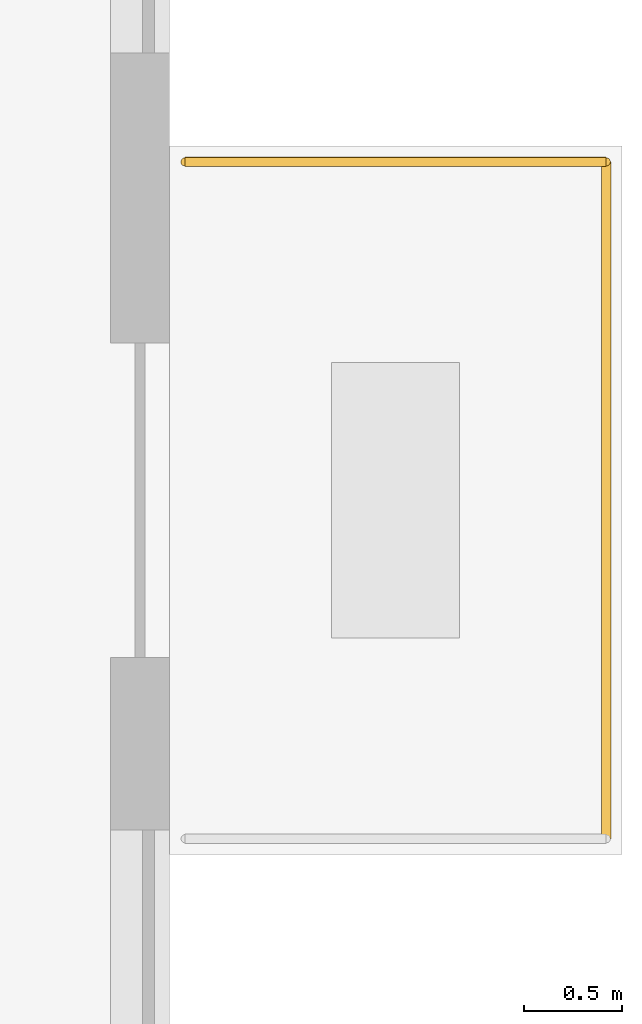
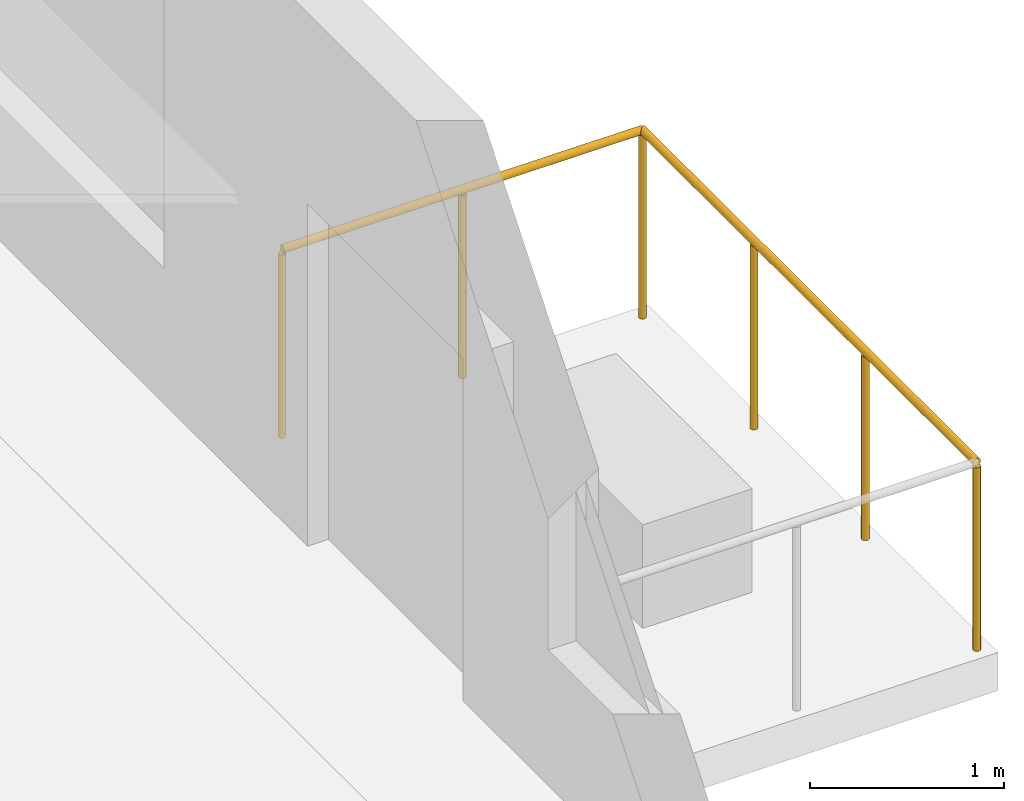
# One storey, part 14 of 14: 2 railings.
"""IFC4 building model written with IfcOpenShell, lengths in metres."""

from ifc_helpers import new_model, si_unit, direction, frame, origin, origin_2d, place, context, subcontext, project, spatial, circle, extrude, material, type_object, element, save


model = new_model("IFC4")

# Units and contexts
model_context = context("Model", 3, precision=1e-05, world=origin(), true_north=direction((0.0, 1.0)))
body_context = subcontext(model_context, "Body", "Model", "MODEL_VIEW")
ifc_project = project(units=[si_unit("LENGTHUNIT", "METRE"), si_unit("AREAUNIT", "SQUARE_METRE"), si_unit("VOLUMEUNIT", "CUBIC_METRE"), si_unit("PLANEANGLEUNIT", "RADIAN"), si_unit("MASSUNIT", "GRAM", prefix="KILO")], contexts=[model_context])

# Site, building, storey
site_placement = place(None, origin())
site = spatial("IfcSite", under=ifc_project, at=site_placement, CompositionType="ELEMENT")
building_placement = place(site_placement, origin())
building = spatial("IfcBuilding", under=site, at=building_placement, Name="Calvemar Wedge Station Tower", CompositionType="ELEMENT")
storey_placement = place(building_placement, frame((0.0, 0.0, 128.60009765625)))
storey = spatial("IfcBuildingStorey", under=building, at=storey_placement, Name="L31", CompositionType="ELEMENT", Elevation=128.60009765625)

# Railings
ifc_material = material(Name="Stainless steel AISI 316L", Category="steel")
railing_type = type_object("IfcRailingType", Name="GRD-TERR-1200", PredefinedType="GUARDRAIL", material=ifc_material)
railing_1_placement = place(storey_placement, frame((55.8798828125, 41.511962890625, 0.0)))
element("IfcRailing", 1, at=railing_1_placement, inside=storey, type_object=railing_type, Name="Storey L31 Spiral Terrace Guard 2", PredefinedType="GUARDRAIL", context=body_context, shape_type="SweptSolid", body=[
    extrude(circle(Radius=0.02392578125, at=origin_2d()), frame((0.0, 0.0, 1.17578125), z_axis=(1.0, 0.0, 0.0), x_axis=(0.0, 1.0, 0.0)), (0.0, 0.0, 1.0), 2.14013671875),
    extrude(circle(Radius=0.02099609375, at=origin_2d()), origin(), (0.0, 0.0, 1.0), 1.15185546875),
    extrude(circle(Radius=0.02099609375, at=origin_2d()), frame((1.070068359375, 0.0, 0.0)), (0.0, 0.0, 1.0), 1.15185546875),
    extrude(circle(Radius=0.02099609375, at=origin_2d()), frame((2.14013671875, 0.0, 0.0)), (0.0, 0.0, 1.0), 1.15185546875),
])
railing_2_placement = place(storey_placement, frame((58.02001953125, 41.511962890625, 0.0)))
element("IfcRailing", 2, at=railing_2_placement, inside=storey, type_object=railing_type, Name="Storey L31 Spiral Terrace Guard 3", PredefinedType="GUARDRAIL", context=body_context, shape_type="SweptSolid", body=[
    extrude(circle(Radius=0.02392578125, at=origin_2d()), frame((0.0, 0.0, 1.17578125), z_axis=(0.0, -1.0, 0.0), x_axis=(1.0, 0.0, 0.0)), (0.0, 0.0, 1.0), 3.43994140625),
    extrude(circle(Radius=0.02099609375, at=origin_2d()), origin(), (0.0, 0.0, 1.0), 1.15185546875),
    extrude(circle(Radius=0.02099609375, at=origin_2d()), frame((0.0, -1.146728515625, 0.0)), (0.0, 0.0, 1.0), 1.15185546875),
    extrude(circle(Radius=0.02099609375, at=origin_2d()), frame((0.0, -2.293212890625, 0.0)), (0.0, 0.0, 1.0), 1.15185546875),
    extrude(circle(Radius=0.02099609375, at=origin_2d()), frame((0.0, -3.43994140625, 0.0)), (0.0, 0.0, 1.0), 1.15185546875),
])

save(model, "model.ifc")
